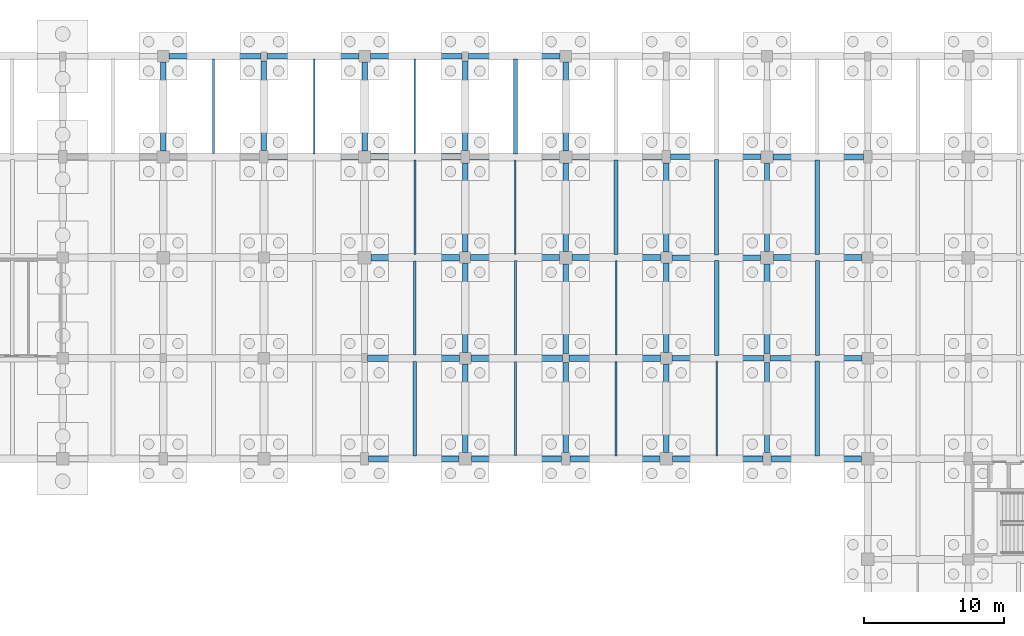
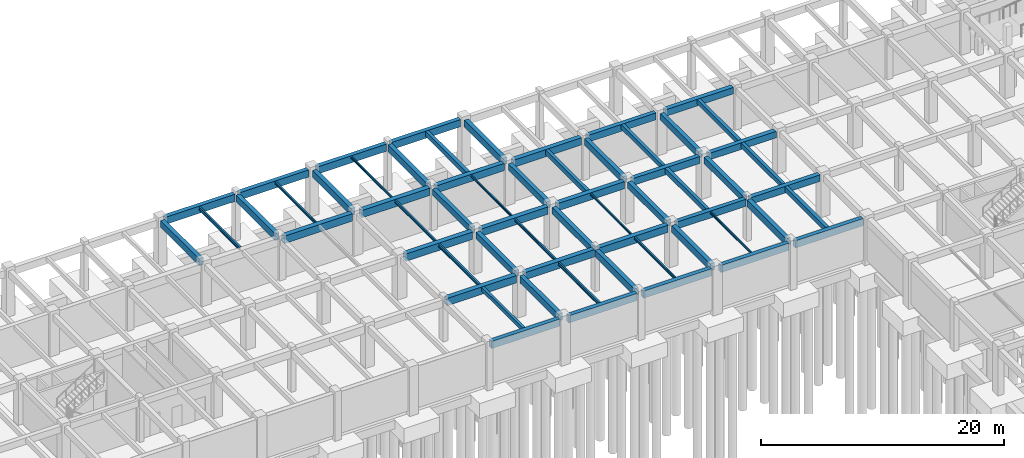
# One storey, part 32 of 47: 61 beams.
"""IFC4 building model written with IfcOpenShell, lengths in metres."""

from ifc_helpers import new_model, si_unit, direction, frame, origin, origin_2d, place, context, subcontext, project, spatial, rectangle, i_section, extrude, material, material_profile, profile_set, type_object, element, save


model = new_model("IFC4")

# Units and contexts
model_context = context("Model", 3, precision=1e-05, world=origin(), true_north=direction((0.0, 1.0)))
body_context = subcontext(model_context, "Body", "Model", "MODEL_VIEW")
ifc_project = project(units=[si_unit("LENGTHUNIT", "METRE"), si_unit("AREAUNIT", "SQUARE_METRE"), si_unit("VOLUMEUNIT", "CUBIC_METRE"), si_unit("PLANEANGLEUNIT", "RADIAN"), si_unit("MASSUNIT", "GRAM", prefix="KILO")], contexts=[model_context])

# Site, building, storey
site_placement = place(None, origin())
site = spatial("IfcSite", under=ifc_project, at=site_placement, CompositionType="ELEMENT")
building_placement = place(site_placement, origin())
building = spatial("IfcBuilding", under=site, at=building_placement, Name="Thalmaran Polytechnic", CompositionType="ELEMENT")
storey_placement = place(building_placement, frame((0.0, 0.0, -4.5)))
storey = spatial("IfcBuildingStorey", under=building, at=storey_placement, Name="B1", CompositionType="ELEMENT", Elevation=-4.5)

# Beams
ifc_material_1 = material(Name="Concrete C40/50", Category="concrete")
ifc_material_profile_1 = material_profile(ifc_material_1, rectangle(XDim=0.449951171875, YDim=0.75, at=origin_2d()), Name="RC 450x750")
ifc_profile_set_1 = profile_set([ifc_material_profile_1], Name="Concrete C40/50")
beam_type_1 = type_object("IfcBeamType", Name="BM-RC03", PredefinedType="BEAM", material=ifc_profile_set_1)
beam_1_placement = place(storey_placement, frame((86.699951171875, 115.199951171875, 3.794921875), z_axis=(1.0, 0.0, 0.0), x_axis=(0.0, 1.0, 0.0)))
element("IfcBeam", 1, at=beam_1_placement, inside=storey, type_object=beam_type_1, Name="Grid Beam B03 B1 X(12,16)", PredefinedType="BEAM", context=body_context, shape_type="SweptSolid", body=[
    extrude(rectangle(XDim=0.449951171875, YDim=0.75, at=origin_2d()), origin(), (0.0, 0.0, 1.0), 6.4599609375),
])
ifc_material_profile_2 = material_profile(ifc_material_1, rectangle(XDim=0.449951171875, YDim=0.72509765625, at=origin_2d()), Name="RC 450x725")
ifc_profile_set_2 = profile_set([ifc_material_profile_2], Name="Concrete C40/50")
beam_type_2 = type_object("IfcBeamType", Name="BM-RC04", PredefinedType="BEAM", material=ifc_profile_set_2)
beam_2_placement = place(storey_placement, frame((101.2099609375, 100.800048828125, 3.8076171875), z_axis=(1.0, 0.0, 0.0), x_axis=(0.0, 1.0, 0.0)))
element("IfcBeam", 2, at=beam_2_placement, inside=storey, type_object=beam_type_2, Name="Grid Beam B04 B1 X(14,14)", PredefinedType="BEAM", context=body_context, shape_type="SweptSolid", body=[
    extrude(rectangle(XDim=0.449951171875, YDim=0.72509765625, at=origin_2d()), origin(), (0.0, 0.0, 1.0), 6.56494140625),
])
beam_3_placement = place(storey_placement, frame((101.199951171875, 108.0, 3.8076171875), z_axis=(1.0, 0.0, 0.0), x_axis=(0.0, 1.0, 0.0)))
element("IfcBeam", 3, at=beam_3_placement, inside=storey, type_object=beam_type_2, Name="Grid Beam B04 B1 X(14,15)", PredefinedType="BEAM", context=body_context, shape_type="SweptSolid", body=[
    extrude(rectangle(XDim=0.449951171875, YDim=0.72509765625, at=origin_2d()), origin(), (0.0, 0.0, 1.0), 6.35009765625),
])
beam_4_placement = place(storey_placement, frame((101.10009765625, 115.199951171875, 3.8076171875), z_axis=(1.0, 0.0, 0.0), x_axis=(0.0, 1.0, 0.0)))
element("IfcBeam", 4, at=beam_4_placement, inside=storey, type_object=beam_type_2, Name="Grid Beam B04 B1 X(14,16)", PredefinedType="BEAM", context=body_context, shape_type="SweptSolid", body=[
    extrude(rectangle(XDim=0.449951171875, YDim=0.72509765625, at=origin_2d()), origin(), (0.0, 0.0, 1.0), 6.4599609375),
])
ifc_material_profile_3 = material_profile(ifc_material_1, rectangle(XDim=0.39990234375, YDim=0.699951171875, at=origin_2d()), Name="RC 400x700")
ifc_profile_set_3 = profile_set([ifc_material_profile_3], Name="Concrete C40/50")
beam_type_3 = type_object("IfcBeamType", Name="BM-RC05", PredefinedType="BEAM", material=ifc_profile_set_3)
beam_5_placement = place(storey_placement, frame((115.610107421875, 100.800048828125, 3.820068359375), z_axis=(1.0, 0.0, 0.0), x_axis=(0.0, 1.0, 0.0)))
element("IfcBeam", 5, at=beam_5_placement, inside=storey, type_object=beam_type_3, Name="Grid Beam B05 B1 X(16,14)", PredefinedType="BEAM", context=body_context, shape_type="SweptSolid", body=[
    extrude(rectangle(XDim=0.39990234375, YDim=0.699951171875, at=origin_2d()), origin(), (0.0, 0.0, 1.0), 6.56494140625),
])
beam_6_placement = place(storey_placement, frame((115.60009765625, 108.0, 3.820068359375), z_axis=(1.0, 0.0, 0.0), x_axis=(0.0, 1.0, 0.0)))
element("IfcBeam", 6, at=beam_6_placement, inside=storey, type_object=beam_type_3, Name="Grid Beam B05 B1 X(16,15)", PredefinedType="BEAM", context=body_context, shape_type="SweptSolid", body=[
    extrude(rectangle(XDim=0.39990234375, YDim=0.699951171875, at=origin_2d()), origin(), (0.0, 0.0, 1.0), 6.349853515625),
])
beam_7_placement = place(storey_placement, frame((115.5, 115.199951171875, 3.820068359375), z_axis=(1.0, 0.0, 0.0), x_axis=(0.0, 1.0, 0.0)))
element("IfcBeam", 7, at=beam_7_placement, inside=storey, type_object=beam_type_3, Name="Grid Beam B05 B1 X(16,16)", PredefinedType="BEAM", context=body_context, shape_type="SweptSolid", body=[
    extrude(rectangle(XDim=0.39990234375, YDim=0.699951171875, at=origin_2d()), origin(), (0.0, 0.0, 1.0), 6.4599609375),
])
ifc_material_profile_4 = material_profile(ifc_material_1, rectangle(XDim=0.39990234375, YDim=0.6298828125, at=origin_2d()), Name="RC 400x630")
ifc_profile_set_4 = profile_set([ifc_material_profile_4], Name="Concrete C40/50")
beam_type_4 = type_object("IfcBeamType", Name="BM-RC07", PredefinedType="BEAM", material=ifc_profile_set_4)
beam_8_placement = place(storey_placement, frame((100.800048828125, 101.2099609375, 3.85498046875), z_axis=(0.0, 1.0, 0.0), x_axis=(-1.0, 0.0, 0.0)))
element("IfcBeam", 8, at=beam_8_placement, inside=storey, type_object=beam_type_4, Name="Grid Beam B07 B1 Y(14,14)", PredefinedType="BEAM", context=body_context, shape_type="SweptSolid", body=[
    extrude(rectangle(XDim=0.39990234375, YDim=0.6298828125, at=origin_2d()), origin(), (0.0, 0.0, 1.0), 6.39013671875),
])
beam_9_placement = place(storey_placement, frame((108.0, 101.125, 3.85498046875), z_axis=(0.0, 1.0, 0.0), x_axis=(-1.0, 0.0, 0.0)))
element("IfcBeam", 9, at=beam_9_placement, inside=storey, type_object=beam_type_4, Name="Grid Beam B07 B1 Y(15,14)", PredefinedType="BEAM", context=body_context, shape_type="SweptSolid", body=[
    extrude(rectangle(XDim=0.39990234375, YDim=0.6298828125, at=origin_2d()), origin(), (0.0, 0.0, 1.0), 6.425048828125),
])
beam_10_placement = place(storey_placement, frame((115.199951171875, 101.2099609375, 3.85498046875), z_axis=(0.0, 1.0, 0.0), x_axis=(-1.0, 0.0, 0.0)))
element("IfcBeam", 10, at=beam_10_placement, inside=storey, type_object=beam_type_4, Name="Grid Beam B07 B1 Y(16,14)", PredefinedType="BEAM", context=body_context, shape_type="SweptSolid", body=[
    extrude(rectangle(XDim=0.39990234375, YDim=0.6298828125, at=origin_2d()), origin(), (0.0, 0.0, 1.0), 6.39013671875),
])
beam_11_placement = place(storey_placement, frame((122.39990234375, 101.125, 3.85498046875), z_axis=(0.0, 1.0, 0.0), x_axis=(-1.0, 0.0, 0.0)))
element("IfcBeam", 11, at=beam_11_placement, inside=storey, type_object=beam_type_4, Name="Grid Beam B07 B1 Y(17,14)", PredefinedType="BEAM", context=body_context, shape_type="SweptSolid", body=[
    extrude(rectangle(XDim=0.39990234375, YDim=0.6298828125, at=origin_2d()), origin(), (0.0, 0.0, 1.0), 6.425048828125),
])
ifc_material_profile_5 = material_profile(ifc_material_1, rectangle(XDim=0.389892578125, YDim=0.68505859375, at=origin_2d()), Name="RC 390x685")
ifc_profile_set_5 = profile_set([ifc_material_profile_5], Name="Concrete C40/50")
beam_type_5 = type_object("IfcBeamType", Name="BM-RC08", PredefinedType="BEAM", material=ifc_profile_set_5)
beam_12_placement = place(storey_placement, frame((79.199951171875, 115.639892578125, 3.827392578125), z_axis=(0.0, 1.0, 0.0), x_axis=(-1.0, 0.0, 0.0)))
element("IfcBeam", 12, at=beam_12_placement, inside=storey, type_object=beam_type_5, Name="Grid Beam B08 B1 Y(11,16)", PredefinedType="BEAM", context=body_context, shape_type="SweptSolid", body=[
    extrude(rectangle(XDim=0.389892578125, YDim=0.68505859375, at=origin_2d()), origin(), (0.0, 0.0, 1.0), 6.35009765625),
])
beam_13_placement = place(storey_placement, frame((86.39990234375, 115.64990234375, 3.827392578125), z_axis=(0.0, 1.0, 0.0), x_axis=(-1.0, 0.0, 0.0)))
element("IfcBeam", 13, at=beam_13_placement, inside=storey, type_object=beam_type_5, Name="Grid Beam B08 B1 Y(12,16)", PredefinedType="BEAM", context=body_context, shape_type="SweptSolid", body=[
    extrude(rectangle(XDim=0.389892578125, YDim=0.68505859375, at=origin_2d()), origin(), (0.0, 0.0, 1.0), 6.425048828125),
])
beam_14_placement = place(storey_placement, frame((93.60009765625, 115.639892578125, 3.827392578125), z_axis=(0.0, 1.0, 0.0), x_axis=(-1.0, 0.0, 0.0)))
element("IfcBeam", 14, at=beam_14_placement, inside=storey, type_object=beam_type_5, Name="Grid Beam B08 B1 Y(13,16)", PredefinedType="BEAM", context=body_context, shape_type="SweptSolid", body=[
    extrude(rectangle(XDim=0.389892578125, YDim=0.68505859375, at=origin_2d()), origin(), (0.0, 0.0, 1.0), 6.35009765625),
])
beam_15_placement = place(storey_placement, frame((100.800048828125, 115.64990234375, 3.827392578125), z_axis=(0.0, 1.0, 0.0), x_axis=(-1.0, 0.0, 0.0)))
element("IfcBeam", 15, at=beam_15_placement, inside=storey, type_object=beam_type_5, Name="Grid Beam B08 B1 Y(14,16)", PredefinedType="BEAM", context=body_context, shape_type="SweptSolid", body=[
    extrude(rectangle(XDim=0.389892578125, YDim=0.68505859375, at=origin_2d()), origin(), (0.0, 0.0, 1.0), 6.425048828125),
])
beam_16_placement = place(storey_placement, frame((108.0, 115.639892578125, 3.827392578125), z_axis=(0.0, 1.0, 0.0), x_axis=(-1.0, 0.0, 0.0)))
element("IfcBeam", 16, at=beam_16_placement, inside=storey, type_object=beam_type_5, Name="Grid Beam B08 B1 Y(15,16)", PredefinedType="BEAM", context=body_context, shape_type="SweptSolid", body=[
    extrude(rectangle(XDim=0.389892578125, YDim=0.68505859375, at=origin_2d()), origin(), (0.0, 0.0, 1.0), 6.35009765625),
])
ifc_material_profile_6 = material_profile(ifc_material_1, rectangle(XDim=0.389892578125, YDim=0.695068359375, at=origin_2d()), Name="RC 390x695")
ifc_profile_set_6 = profile_set([ifc_material_profile_6], Name="Concrete C40/50")
beam_type_6 = type_object("IfcBeamType", Name="BM-RC10", PredefinedType="BEAM", material=ifc_profile_set_6)
beam_17_placement = place(storey_placement, frame((100.800048828125, 94.0400390625, 3.822509765625), z_axis=(0.0, 1.0, 0.0), x_axis=(-1.0, 0.0, 0.0)))
element("IfcBeam", 17, at=beam_17_placement, inside=storey, type_object=beam_type_6, Name="Grid Beam B10 B1 Y(14,13)", PredefinedType="BEAM", context=body_context, shape_type="SweptSolid", body=[
    extrude(rectangle(XDim=0.389892578125, YDim=0.695068359375, at=origin_2d()), origin(), (0.0, 0.0, 1.0), 6.349853515625),
])
beam_18_placement = place(storey_placement, frame((108.0, 94.050048828125, 3.822509765625), z_axis=(0.0, 1.0, 0.0), x_axis=(-1.0, 0.0, 0.0)))
element("IfcBeam", 18, at=beam_18_placement, inside=storey, type_object=beam_type_6, Name="Grid Beam B10 B1 Y(15,13)", PredefinedType="BEAM", context=body_context, shape_type="SweptSolid", body=[
    extrude(rectangle(XDim=0.389892578125, YDim=0.695068359375, at=origin_2d()), origin(), (0.0, 0.0, 1.0), 6.425048828125),
])
beam_19_placement = place(storey_placement, frame((115.199951171875, 94.0400390625, 3.822509765625), z_axis=(0.0, 1.0, 0.0), x_axis=(-1.0, 0.0, 0.0)))
element("IfcBeam", 19, at=beam_19_placement, inside=storey, type_object=beam_type_6, Name="Grid Beam B10 B1 Y(16,13)", PredefinedType="BEAM", context=body_context, shape_type="SweptSolid", body=[
    extrude(rectangle(XDim=0.389892578125, YDim=0.695068359375, at=origin_2d()), origin(), (0.0, 0.0, 1.0), 6.349853515625),
])
beam_20_placement = place(storey_placement, frame((122.39990234375, 94.050048828125, 3.822509765625), z_axis=(0.0, 1.0, 0.0), x_axis=(-1.0, 0.0, 0.0)))
element("IfcBeam", 20, at=beam_20_placement, inside=storey, type_object=beam_type_6, Name="Grid Beam B10 B1 Y(17,13)", PredefinedType="BEAM", context=body_context, shape_type="SweptSolid", body=[
    extrude(rectangle(XDim=0.389892578125, YDim=0.695068359375, at=origin_2d()), origin(), (0.0, 0.0, 1.0), 6.425048828125),
])
ifc_material_profile_7 = material_profile(ifc_material_1, rectangle(XDim=0.300048828125, YDim=0.5, at=origin_2d()), Name="RC 300x500")
ifc_profile_set_7 = profile_set([ifc_material_profile_7], Name="Concrete C40/50")
beam_type_7 = type_object("IfcBeamType", Name="BM-RC11", PredefinedType="JOIST", material=ifc_profile_set_7)
beam_21_placement = place(storey_placement, frame((104.39990234375, 115.425048828125, 3.919921875), z_axis=(0.0, 1.0, 0.0), x_axis=(-1.0, 0.0, 0.0)))
element("IfcBeam", 21, at=beam_21_placement, inside=storey, type_object=beam_type_7, Name="Secondary Floor Rib RB01 B1 (14,16)", PredefinedType="JOIST", context=body_context, shape_type="SweptSolid", body=[
    extrude(rectangle(XDim=0.300048828125, YDim=0.5, at=origin_2d()), origin(), (0.0, 0.0, 1.0), 6.77490234375),
])
beam_22_placement = place(storey_placement, frame((111.60009765625, 108.219970703125, 3.919921875), z_axis=(0.0, 1.0, 0.0), x_axis=(-1.0, 0.0, 0.0)))
element("IfcBeam", 22, at=beam_22_placement, inside=storey, type_object=beam_type_7, Name="Secondary Floor Rib RB01 B1 (15,15)", PredefinedType="JOIST", context=body_context, shape_type="SweptSolid", body=[
    extrude(rectangle(XDim=0.300048828125, YDim=0.5, at=origin_2d()), origin(), (0.0, 0.0, 1.0), 6.760009765625),
])
beam_23_placement = place(storey_placement, frame((118.800048828125, 101.0, 3.919921875), z_axis=(0.0, 1.0, 0.0), x_axis=(-1.0, 0.0, 0.0)))
element("IfcBeam", 23, at=beam_23_placement, inside=storey, type_object=beam_type_7, Name="Secondary Floor Rib RB01 B1 (16,14)", PredefinedType="JOIST", context=body_context, shape_type="SweptSolid", body=[
    extrude(rectangle(XDim=0.300048828125, YDim=0.5, at=origin_2d()), origin(), (0.0, 0.0, 1.0), 6.800048828125),
])
beam_24_placement = place(storey_placement, frame((126.0, 93.800048828125, 3.919921875), z_axis=(0.0, 1.0, 0.0), x_axis=(-1.0, 0.0, 0.0)))
element("IfcBeam", 24, at=beam_24_placement, inside=storey, type_object=beam_type_7, Name="Secondary Floor Rib RB01 B1 (17,13)", PredefinedType="JOIST", context=body_context, shape_type="SweptSolid", body=[
    extrude(rectangle(XDim=0.300048828125, YDim=0.5, at=origin_2d()), origin(), (0.0, 0.0, 1.0), 6.7900390625),
])
ifc_material_profile_8 = material_profile(ifc_material_1, rectangle(XDim=0.300048828125, YDim=0.449951171875, at=origin_2d()), Name="RC 300x450")
ifc_profile_set_8 = profile_set([ifc_material_profile_8], Name="Concrete C40/50")
beam_type_8 = type_object("IfcBeamType", Name="BM-RC12", PredefinedType="JOIST", material=ifc_profile_set_8)
beam_25_placement = place(storey_placement, frame((126.0, 108.2099609375, 3.945068359375), z_axis=(0.0, 1.0, 0.0), x_axis=(-1.0, 0.0, 0.0)))
element("IfcBeam", 25, at=beam_25_placement, inside=storey, type_object=beam_type_8, Name="Secondary Floor Rib RB02 B1 (17,15)", PredefinedType="JOIST", context=body_context, shape_type="SweptSolid", body=[
    extrude(rectangle(XDim=0.300048828125, YDim=0.449951171875, at=origin_2d()), origin(), (0.0, 0.0, 1.0), 6.780029296875),
])
ifc_material_2 = material(Name="Steel S355", Category="steel")
ifc_material_profile_9 = material_profile(ifc_material_2, i_section(OverallWidth=0.159912109375, OverallDepth=0.330078125, WebThickness=0.007568359375, FlangeThickness=0.011474609375, at=origin_2d()), Name="IPE 330")
ifc_profile_set_9 = profile_set([ifc_material_profile_9], Name="Steel S355")
beam_type_9 = type_object("IfcBeamType", Name="BM-SJ02", PredefinedType="JOIST", material=ifc_profile_set_9)
beam_26_placement = place(storey_placement, frame((82.800048828125, 115.43994140625, 4.0048828125), z_axis=(0.0, 1.0, 0.0), x_axis=(-1.0, 0.0, 0.0)))
element("IfcBeam", 26, at=beam_26_placement, inside=storey, type_object=beam_type_9, Name="Secondary Floor Rib SJ02 B1 (11,16)", PredefinedType="JOIST", context=body_context, shape_type="SweptSolid", body=[
    extrude(i_section(OverallWidth=0.159912109375, OverallDepth=0.330078125, WebThickness=0.007568359375, FlangeThickness=0.011474609375, at=origin_2d()), origin(), (0.0, 0.0, 1.0), 6.760009765625),
])
beam_27_placement = place(storey_placement, frame((97.199951171875, 101.030029296875, 4.0048828125), z_axis=(0.0, 1.0, 0.0), x_axis=(-1.0, 0.0, 0.0)))
element("IfcBeam", 27, at=beam_27_placement, inside=storey, type_object=beam_type_9, Name="Secondary Floor Rib SJ02 B1 (13,14)", PredefinedType="JOIST", context=body_context, shape_type="SweptSolid", body=[
    extrude(i_section(OverallWidth=0.159912109375, OverallDepth=0.330078125, WebThickness=0.007568359375, FlangeThickness=0.011474609375, at=origin_2d()), origin(), (0.0, 0.0, 1.0), 6.739990234375),
])
beam_28_placement = place(storey_placement, frame((104.39990234375, 93.800048828125, 4.0048828125), z_axis=(0.0, 1.0, 0.0), x_axis=(-1.0, 0.0, 0.0)))
element("IfcBeam", 28, at=beam_28_placement, inside=storey, type_object=beam_type_9, Name="Secondary Floor Rib SJ02 B1 (14,13)", PredefinedType="JOIST", context=body_context, shape_type="SweptSolid", body=[
    extrude(i_section(OverallWidth=0.159912109375, OverallDepth=0.330078125, WebThickness=0.007568359375, FlangeThickness=0.011474609375, at=origin_2d()), origin(), (0.0, 0.0, 1.0), 6.77490234375),
])
ifc_material_profile_10 = material_profile(ifc_material_2, i_section(OverallWidth=0.135009765625, OverallDepth=0.27001953125, WebThickness=0.006591796875, FlangeThickness=0.01025390625, at=origin_2d()), Name="IPE 270")
ifc_profile_set_10 = profile_set([ifc_material_profile_10], Name="Steel S355")
beam_type_10 = type_object("IfcBeamType", Name="BM-SJ03", PredefinedType="JOIST", material=ifc_profile_set_10)
beam_29_placement = place(storey_placement, frame((90.0, 115.425048828125, 4.034912109375), z_axis=(0.0, 1.0, 0.0), x_axis=(-1.0, 0.0, 0.0)))
element("IfcBeam", 29, at=beam_29_placement, inside=storey, type_object=beam_type_10, Name="Secondary Floor Rib SJ03 B1 (12,16)", PredefinedType="JOIST", context=body_context, shape_type="SweptSolid", body=[
    extrude(i_section(OverallWidth=0.135009765625, OverallDepth=0.27001953125, WebThickness=0.006591796875, FlangeThickness=0.01025390625, at=origin_2d()), origin(), (0.0, 0.0, 1.0), 6.77490234375),
])
beam_30_placement = place(storey_placement, frame((97.199951171875, 108.22998046875, 4.034912109375), z_axis=(0.0, 1.0, 0.0), x_axis=(-1.0, 0.0, 0.0)))
element("IfcBeam", 30, at=beam_30_placement, inside=storey, type_object=beam_type_10, Name="Secondary Floor Rib SJ03 B1 (13,15)", PredefinedType="JOIST", context=body_context, shape_type="SweptSolid", body=[
    extrude(i_section(OverallWidth=0.135009765625, OverallDepth=0.27001953125, WebThickness=0.006591796875, FlangeThickness=0.01025390625, at=origin_2d()), origin(), (0.0, 0.0, 1.0), 6.739990234375),
])
beam_31_placement = place(storey_placement, frame((104.39990234375, 101.02490234375, 4.034912109375), z_axis=(0.0, 1.0, 0.0), x_axis=(-1.0, 0.0, 0.0)))
element("IfcBeam", 31, at=beam_31_placement, inside=storey, type_object=beam_type_10, Name="Secondary Floor Rib SJ03 B1 (14,14)", PredefinedType="JOIST", context=body_context, shape_type="SweptSolid", body=[
    extrude(i_section(OverallWidth=0.135009765625, OverallDepth=0.27001953125, WebThickness=0.006591796875, FlangeThickness=0.01025390625, at=origin_2d()), origin(), (0.0, 0.0, 1.0), 6.75),
])
beam_32_placement = place(storey_placement, frame((111.60009765625, 93.800048828125, 4.034912109375), z_axis=(0.0, 1.0, 0.0), x_axis=(-1.0, 0.0, 0.0)))
element("IfcBeam", 32, at=beam_32_placement, inside=storey, type_object=beam_type_10, Name="Secondary Floor Rib SJ03 B1 (15,13)", PredefinedType="JOIST", context=body_context, shape_type="SweptSolid", body=[
    extrude(i_section(OverallWidth=0.135009765625, OverallDepth=0.27001953125, WebThickness=0.006591796875, FlangeThickness=0.01025390625, at=origin_2d()), origin(), (0.0, 0.0, 1.0), 6.780029296875),
])
ifc_material_profile_11 = material_profile(ifc_material_2, i_section(OverallWidth=0.110107421875, OverallDepth=0.219970703125, WebThickness=0.005859375, FlangeThickness=0.00927734375, at=origin_2d()), Name="IPE 220")
ifc_profile_set_11 = profile_set([ifc_material_profile_11], Name="Steel S355")
beam_type_11 = type_object("IfcBeamType", Name="BM-SJ04", PredefinedType="JOIST", material=ifc_profile_set_11)
beam_33_placement = place(storey_placement, frame((97.199951171875, 115.429931640625, 4.06005859375), z_axis=(0.0, 1.0, 0.0), x_axis=(-1.0, 0.0, 0.0)))
element("IfcBeam", 33, at=beam_33_placement, inside=storey, type_object=beam_type_11, Name="Secondary Floor Rib SJ04 B1 (13,16)", PredefinedType="JOIST", context=body_context, shape_type="SweptSolid", body=[
    extrude(i_section(OverallWidth=0.110107421875, OverallDepth=0.219970703125, WebThickness=0.005859375, FlangeThickness=0.00927734375, at=origin_2d()), origin(), (0.0, 0.0, 1.0), 6.77001953125),
])
beam_34_placement = place(storey_placement, frame((104.39990234375, 108.22509765625, 4.06005859375), z_axis=(0.0, 1.0, 0.0), x_axis=(-1.0, 0.0, 0.0)))
element("IfcBeam", 34, at=beam_34_placement, inside=storey, type_object=beam_type_11, Name="Secondary Floor Rib SJ04 B1 (14,15)", PredefinedType="JOIST", context=body_context, shape_type="SweptSolid", body=[
    extrude(i_section(OverallWidth=0.110107421875, OverallDepth=0.219970703125, WebThickness=0.005859375, FlangeThickness=0.00927734375, at=origin_2d()), origin(), (0.0, 0.0, 1.0), 6.75),
])
beam_35_placement = place(storey_placement, frame((111.60009765625, 101.02001953125, 4.06005859375), z_axis=(0.0, 1.0, 0.0), x_axis=(-1.0, 0.0, 0.0)))
element("IfcBeam", 35, at=beam_35_placement, inside=storey, type_object=beam_type_11, Name="Secondary Floor Rib SJ04 B1 (15,14)", PredefinedType="JOIST", context=body_context, shape_type="SweptSolid", body=[
    extrude(i_section(OverallWidth=0.110107421875, OverallDepth=0.219970703125, WebThickness=0.005859375, FlangeThickness=0.00927734375, at=origin_2d()), origin(), (0.0, 0.0, 1.0), 6.760009765625),
])
beam_36_placement = place(storey_placement, frame((118.800048828125, 93.800048828125, 4.06005859375), z_axis=(0.0, 1.0, 0.0), x_axis=(-1.0, 0.0, 0.0)))
element("IfcBeam", 36, at=beam_36_placement, inside=storey, type_object=beam_type_11, Name="Secondary Floor Rib SJ04 B1 (16,13)", PredefinedType="JOIST", context=body_context, shape_type="SweptSolid", body=[
    extrude(i_section(OverallWidth=0.110107421875, OverallDepth=0.219970703125, WebThickness=0.005859375, FlangeThickness=0.00927734375, at=origin_2d()), origin(), (0.0, 0.0, 1.0), 6.800048828125),
])
ifc_material_profile_12 = material_profile(ifc_material_1, rectangle(XDim=0.39990234375, YDim=0.719970703125, at=origin_2d()), Name="RC 400x720")
ifc_profile_set_12 = profile_set([ifc_material_profile_12], Name="Concrete C40/50")
beam_type_12 = type_object("IfcBeamType", Name="BM-SP01", PredefinedType="SPANDREL", material=ifc_profile_set_12)
for number, where, z_axis, x_axis, name in (
    (37, (79.610107421875, 122.39990234375, 3.81005859375), (1.0, 0.0, 0.0), (0.0, 1.0, 0.0), "Grid Beam SP01 B1 X(11,17)"),
    (38, (86.625, 122.39990234375, 3.81005859375), (1.0, 0.0, 0.0), (0.0, 1.0, 0.0), "Grid Beam SP01 B1 X(12,17)"),
):
    element("IfcBeam", number, at=place(storey_placement, frame(where, z_axis=z_axis, x_axis=x_axis)), inside=storey, type_object=beam_type_12, Name=name, PredefinedType="SPANDREL", context=body_context, shape_type="SweptSolid", body=[
        extrude(rectangle(XDim=0.39990234375, YDim=0.719970703125, at=origin_2d()), origin(), (0.0, 0.0, 1.0), 6.56494140625),
    ])
beam_37_placement = place(storey_placement, frame((93.89990234375, 93.60009765625, 3.81005859375), z_axis=(1.0, 0.0, 0.0), x_axis=(0.0, 1.0, 0.0)))
element("IfcBeam", 39, at=beam_37_placement, inside=storey, type_object=beam_type_12, Name="Grid Beam SP01 B1 X(13,13)", PredefinedType="SPANDREL", context=body_context, shape_type="SweptSolid", body=[
    extrude(rectangle(XDim=0.39990234375, YDim=0.719970703125, at=origin_2d()), origin(), (0.0, 0.0, 1.0), 6.460205078125),
])
beam_38_placement = place(storey_placement, frame((94.010009765625, 122.39990234375, 3.81005859375), z_axis=(1.0, 0.0, 0.0), x_axis=(0.0, 1.0, 0.0)))
element("IfcBeam", 40, at=beam_38_placement, inside=storey, type_object=beam_type_12, Name="Grid Beam SP01 B1 X(13,17)", PredefinedType="SPANDREL", context=body_context, shape_type="SweptSolid", body=[
    extrude(rectangle(XDim=0.39990234375, YDim=0.719970703125, at=origin_2d()), origin(), (0.0, 0.0, 1.0), 6.56494140625),
])
beam_39_placement = place(storey_placement, frame((101.239990234375, 93.60009765625, 3.81005859375), z_axis=(1.0, 0.0, 0.0), x_axis=(0.0, 1.0, 0.0)))
element("IfcBeam", 41, at=beam_39_placement, inside=storey, type_object=beam_type_12, Name="Grid Beam SP01 B1 X(14,13)", PredefinedType="SPANDREL", context=body_context, shape_type="SweptSolid", body=[
    extrude(rectangle(XDim=0.39990234375, YDim=0.719970703125, at=origin_2d()), origin(), (0.0, 0.0, 1.0), 6.4599609375),
])
beam_40_placement = place(storey_placement, frame((101.02490234375, 122.39990234375, 3.81005859375), z_axis=(1.0, 0.0, 0.0), x_axis=(0.0, 1.0, 0.0)))
element("IfcBeam", 42, at=beam_40_placement, inside=storey, type_object=beam_type_12, Name="Grid Beam SP01 B1 X(14,17)", PredefinedType="SPANDREL", context=body_context, shape_type="SweptSolid", body=[
    extrude(rectangle(XDim=0.39990234375, YDim=0.719970703125, at=origin_2d()), origin(), (0.0, 0.0, 1.0), 6.565185546875),
])
beam_41_placement = place(storey_placement, frame((108.300048828125, 93.60009765625, 3.81005859375), z_axis=(1.0, 0.0, 0.0), x_axis=(0.0, 1.0, 0.0)))
element("IfcBeam", 43, at=beam_41_placement, inside=storey, type_object=beam_type_12, Name="Grid Beam SP01 B1 X(15,13)", PredefinedType="SPANDREL", context=body_context, shape_type="SweptSolid", body=[
    extrude(rectangle(XDim=0.39990234375, YDim=0.719970703125, at=origin_2d()), origin(), (0.0, 0.0, 1.0), 6.4599609375),
])
beam_42_placement = place(storey_placement, frame((115.639892578125, 93.60009765625, 3.81005859375), z_axis=(1.0, 0.0, 0.0), x_axis=(0.0, 1.0, 0.0)))
element("IfcBeam", 44, at=beam_42_placement, inside=storey, type_object=beam_type_12, Name="Grid Beam SP01 B1 X(16,13)", PredefinedType="SPANDREL", context=body_context, shape_type="SweptSolid", body=[
    extrude(rectangle(XDim=0.39990234375, YDim=0.719970703125, at=origin_2d()), origin(), (0.0, 0.0, 1.0), 6.460205078125),
])
beam_43_placement = place(storey_placement, frame((122.699951171875, 93.60009765625, 3.81005859375), z_axis=(1.0, 0.0, 0.0), x_axis=(0.0, 1.0, 0.0)))
element("IfcBeam", 45, at=beam_43_placement, inside=storey, type_object=beam_type_12, Name="Grid Beam SP01 B1 X(17,13)", PredefinedType="SPANDREL", context=body_context, shape_type="SweptSolid", body=[
    extrude(rectangle(XDim=0.39990234375, YDim=0.719970703125, at=origin_2d()), origin(), (0.0, 0.0, 1.0), 6.4599609375),
])
ifc_material_profile_13 = material_profile(ifc_material_1, rectangle(XDim=0.4599609375, YDim=0.739990234375, at=origin_2d()), Name="RC 460x740")
ifc_profile_set_13 = profile_set([ifc_material_profile_13], Name="Concrete C40/50")
beam_type_13 = type_object("IfcBeamType", Name="BM-ZB02", PredefinedType="BEAM", material=ifc_profile_set_13)
beam_44_placement = place(storey_placement, frame((93.824951171875, 100.800048828125, 3.800048828125), z_axis=(1.0, 0.0, 0.0), x_axis=(0.0, 1.0, 0.0)))
element("IfcBeam", 46, at=beam_44_placement, inside=storey, type_object=beam_type_13, Name="Grid Beam ZB02 B1 X(13,14)", PredefinedType="BEAM", context=body_context, shape_type="SweptSolid", body=[
    extrude(rectangle(XDim=0.4599609375, YDim=0.739990234375, at=origin_2d()), origin(), (0.0, 0.0, 1.0), 6.56494140625),
])
beam_45_placement = place(storey_placement, frame((94.050048828125, 108.0, 3.800048828125), z_axis=(1.0, 0.0, 0.0), x_axis=(0.0, 1.0, 0.0)))
element("IfcBeam", 47, at=beam_45_placement, inside=storey, type_object=beam_type_13, Name="Grid Beam ZB02 B1 X(13,15)", PredefinedType="BEAM", context=body_context, shape_type="SweptSolid", body=[
    extrude(rectangle(XDim=0.4599609375, YDim=0.739990234375, at=origin_2d()), origin(), (0.0, 0.0, 1.0), 6.349853515625),
])
beam_46_placement = place(storey_placement, frame((94.0400390625, 115.199951171875, 3.800048828125), z_axis=(1.0, 0.0, 0.0), x_axis=(0.0, 1.0, 0.0)))
element("IfcBeam", 48, at=beam_46_placement, inside=storey, type_object=beam_type_13, Name="Grid Beam ZB02 B1 X(13,16)", PredefinedType="BEAM", context=body_context, shape_type="SweptSolid", body=[
    extrude(rectangle(XDim=0.4599609375, YDim=0.739990234375, at=origin_2d()), origin(), (0.0, 0.0, 1.0), 6.4599609375),
])
ifc_material_profile_14 = material_profile(ifc_material_1, rectangle(XDim=0.43994140625, YDim=0.719970703125, at=origin_2d()), Name="RC 440x720")
ifc_profile_set_14 = profile_set([ifc_material_profile_14], Name="Concrete C40/50")
beam_type_14 = type_object("IfcBeamType", Name="BM-ZB03", PredefinedType="BEAM", material=ifc_profile_set_14)
beam_47_placement = place(storey_placement, frame((108.22509765625, 100.800048828125, 3.81005859375), z_axis=(1.0, 0.0, 0.0), x_axis=(0.0, 1.0, 0.0)))
element("IfcBeam", 49, at=beam_47_placement, inside=storey, type_object=beam_type_14, Name="Grid Beam ZB03 B1 X(15,14)", PredefinedType="BEAM", context=body_context, shape_type="SweptSolid", body=[
    extrude(rectangle(XDim=0.43994140625, YDim=0.719970703125, at=origin_2d()), origin(), (0.0, 0.0, 1.0), 6.56494140625),
])
beam_48_placement = place(storey_placement, frame((108.449951171875, 108.0, 3.81005859375), z_axis=(1.0, 0.0, 0.0), x_axis=(0.0, 1.0, 0.0)))
element("IfcBeam", 50, at=beam_48_placement, inside=storey, type_object=beam_type_14, Name="Grid Beam ZB03 B1 X(15,15)", PredefinedType="BEAM", context=body_context, shape_type="SweptSolid", body=[
    extrude(rectangle(XDim=0.43994140625, YDim=0.719970703125, at=origin_2d()), origin(), (0.0, 0.0, 1.0), 6.35009765625),
])
beam_49_placement = place(storey_placement, frame((108.43994140625, 115.199951171875, 3.81005859375), z_axis=(1.0, 0.0, 0.0), x_axis=(0.0, 1.0, 0.0)))
element("IfcBeam", 51, at=beam_49_placement, inside=storey, type_object=beam_type_14, Name="Grid Beam ZB03 B1 X(15,16)", PredefinedType="BEAM", context=body_context, shape_type="SweptSolid", body=[
    extrude(rectangle(XDim=0.43994140625, YDim=0.719970703125, at=origin_2d()), origin(), (0.0, 0.0, 1.0), 6.4599609375),
])
ifc_material_profile_15 = material_profile(ifc_material_1, rectangle(XDim=0.419921875, YDim=0.659912109375, at=origin_2d()), Name="RC 420x660")
ifc_profile_set_15 = profile_set([ifc_material_profile_15], Name="Concrete C40/50")
beam_type_15 = type_object("IfcBeamType", Name="BM-ZB04", PredefinedType="BEAM", material=ifc_profile_set_15)
beam_50_placement = place(storey_placement, frame((122.625, 100.800048828125, 3.840087890625), z_axis=(1.0, 0.0, 0.0), x_axis=(0.0, 1.0, 0.0)))
element("IfcBeam", 52, at=beam_50_placement, inside=storey, type_object=beam_type_15, Name="Grid Beam ZB04 B1 X(17,14)", PredefinedType="BEAM", context=body_context, shape_type="SweptSolid", body=[
    extrude(rectangle(XDim=0.419921875, YDim=0.659912109375, at=origin_2d()), origin(), (0.0, 0.0, 1.0), 6.56494140625),
])
beam_51_placement = place(storey_placement, frame((122.85009765625, 108.0, 3.840087890625), z_axis=(1.0, 0.0, 0.0), x_axis=(0.0, 1.0, 0.0)))
element("IfcBeam", 53, at=beam_51_placement, inside=storey, type_object=beam_type_15, Name="Grid Beam ZB04 B1 X(17,15)", PredefinedType="BEAM", context=body_context, shape_type="SweptSolid", body=[
    extrude(rectangle(XDim=0.419921875, YDim=0.659912109375, at=origin_2d()), origin(), (0.0, 0.0, 1.0), 6.349853515625),
])
beam_52_placement = place(storey_placement, frame((122.840087890625, 115.199951171875, 3.840087890625), z_axis=(1.0, 0.0, 0.0), x_axis=(0.0, 1.0, 0.0)))
element("IfcBeam", 54, at=beam_52_placement, inside=storey, type_object=beam_type_15, Name="Grid Beam ZB04 B1 X(17,16)", PredefinedType="BEAM", context=body_context, shape_type="SweptSolid", body=[
    extrude(rectangle(XDim=0.419921875, YDim=0.659912109375, at=origin_2d()), origin(), (0.0, 0.0, 1.0), 6.4599609375),
])
ifc_material_profile_16 = material_profile(ifc_material_1, rectangle(XDim=0.3798828125, YDim=0.635009765625, at=origin_2d()), Name="RC 380x635")
ifc_profile_set_16 = profile_set([ifc_material_profile_16], Name="Concrete C40/50")
beam_type_16 = type_object("IfcBeamType", Name="BM-ZB06", PredefinedType="BEAM", material=ifc_profile_set_16)
beam_53_placement = place(storey_placement, frame((100.800048828125, 108.39990234375, 3.8525390625), z_axis=(0.0, 1.0, 0.0), x_axis=(-1.0, 0.0, 0.0)))
element("IfcBeam", 55, at=beam_53_placement, inside=storey, type_object=beam_type_16, Name="Grid Beam ZB06 B1 Y(14,15)", PredefinedType="BEAM", context=body_context, shape_type="SweptSolid", body=[
    extrude(rectangle(XDim=0.3798828125, YDim=0.635009765625, at=origin_2d()), origin(), (0.0, 0.0, 1.0), 6.35009765625),
])
beam_54_placement = place(storey_placement, frame((108.0, 108.449951171875, 3.8525390625), z_axis=(0.0, 1.0, 0.0), x_axis=(-1.0, 0.0, 0.0)))
element("IfcBeam", 56, at=beam_54_placement, inside=storey, type_object=beam_type_16, Name="Grid Beam ZB06 B1 Y(15,15)", PredefinedType="BEAM", context=body_context, shape_type="SweptSolid", body=[
    extrude(rectangle(XDim=0.3798828125, YDim=0.635009765625, at=origin_2d()), origin(), (0.0, 0.0, 1.0), 6.31005859375),
])
beam_55_placement = place(storey_placement, frame((115.199951171875, 108.39990234375, 3.8525390625), z_axis=(0.0, 1.0, 0.0), x_axis=(-1.0, 0.0, 0.0)))
element("IfcBeam", 57, at=beam_55_placement, inside=storey, type_object=beam_type_16, Name="Grid Beam ZB06 B1 Y(16,15)", PredefinedType="BEAM", context=body_context, shape_type="SweptSolid", body=[
    extrude(rectangle(XDim=0.3798828125, YDim=0.635009765625, at=origin_2d()), origin(), (0.0, 0.0, 1.0), 6.35009765625),
])
beam_56_placement = place(storey_placement, frame((122.39990234375, 108.449951171875, 3.8525390625), z_axis=(0.0, 1.0, 0.0), x_axis=(-1.0, 0.0, 0.0)))
element("IfcBeam", 58, at=beam_56_placement, inside=storey, type_object=beam_type_16, Name="Grid Beam ZB06 B1 Y(17,15)", PredefinedType="BEAM", context=body_context, shape_type="SweptSolid", body=[
    extrude(rectangle(XDim=0.3798828125, YDim=0.635009765625, at=origin_2d()), origin(), (0.0, 0.0, 1.0), 6.31005859375),
])
ifc_material_profile_17 = material_profile(ifc_material_1, rectangle(XDim=0.280029296875, YDim=0.47998046875, at=origin_2d()), Name="RC 280x480")
ifc_profile_set_17 = profile_set([ifc_material_profile_17], Name="Concrete C40/50")
beam_type_17 = type_object("IfcBeamType", Name="BM-ZJ01", PredefinedType="JOIST", material=ifc_profile_set_17)
beam_57_placement = place(storey_placement, frame((118.800048828125, 108.199951171875, 3.929931640625), z_axis=(0.0, 1.0, 0.0), x_axis=(-1.0, 0.0, 0.0)))
element("IfcBeam", 59, at=beam_57_placement, inside=storey, type_object=beam_type_17, Name="Secondary Floor Rib ZJ01 B1 (16,15)", PredefinedType="JOIST", context=body_context, shape_type="SweptSolid", body=[
    extrude(rectangle(XDim=0.280029296875, YDim=0.47998046875, at=origin_2d()), origin(), (0.0, 0.0, 1.0), 6.800048828125),
])
beam_58_placement = place(storey_placement, frame((126.0, 101.010009765625, 3.929931640625), z_axis=(0.0, 1.0, 0.0), x_axis=(-1.0, 0.0, 0.0)))
element("IfcBeam", 60, at=beam_58_placement, inside=storey, type_object=beam_type_17, Name="Secondary Floor Rib ZJ01 B1 (17,14)", PredefinedType="JOIST", context=body_context, shape_type="SweptSolid", body=[
    extrude(rectangle(XDim=0.280029296875, YDim=0.47998046875, at=origin_2d()), origin(), (0.0, 0.0, 1.0), 6.780029296875),
])
ifc_material_profile_18 = material_profile(ifc_material_1, rectangle(XDim=0.239990234375, YDim=0.39990234375, at=origin_2d()), Name="RC 240x400")
ifc_profile_set_18 = profile_set([ifc_material_profile_18], Name="Concrete C40/50")
beam_type_18 = type_object("IfcBeamType", Name="BM-ZJ04", PredefinedType="JOIST", material=ifc_profile_set_18)
beam_59_placement = place(storey_placement, frame((97.199951171875, 93.800048828125, 3.969970703125), z_axis=(0.0, 1.0, 0.0), x_axis=(-1.0, 0.0, 0.0)))
element("IfcBeam", 61, at=beam_59_placement, inside=storey, type_object=beam_type_18, Name="Secondary Floor Rib ZJ04 B1 (13,13)", PredefinedType="JOIST", context=body_context, shape_type="SweptSolid", body=[
    extrude(rectangle(XDim=0.239990234375, YDim=0.39990234375, at=origin_2d()), origin(), (0.0, 0.0, 1.0), 6.77001953125),
])

save(model, "model.ifc")
